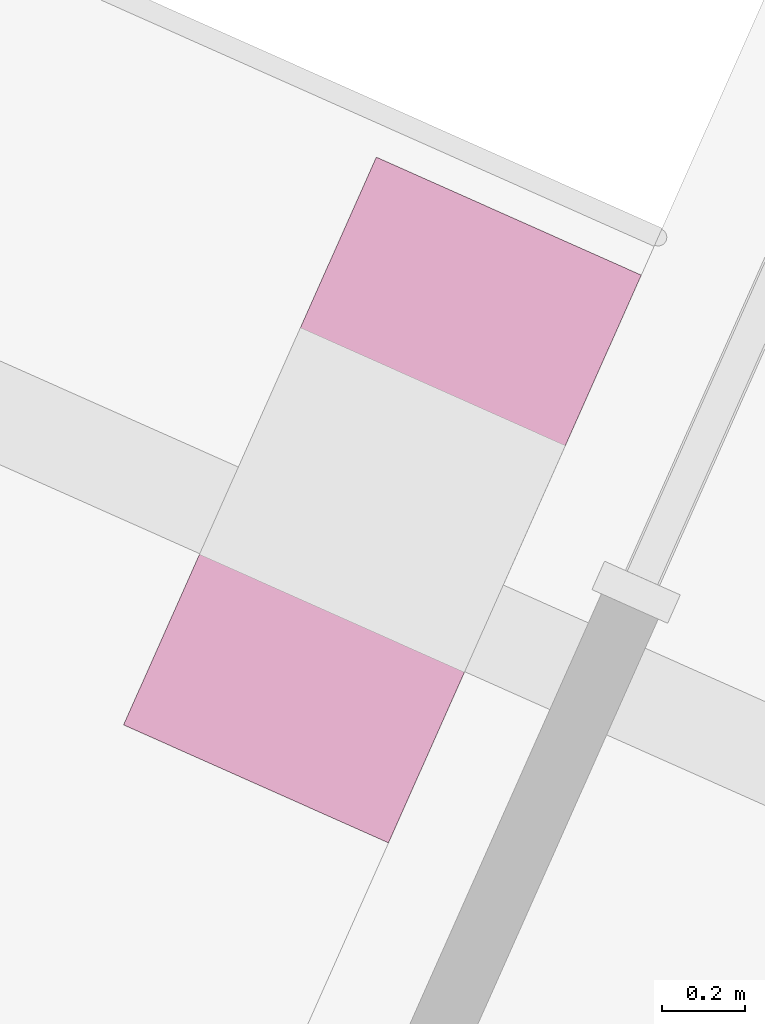
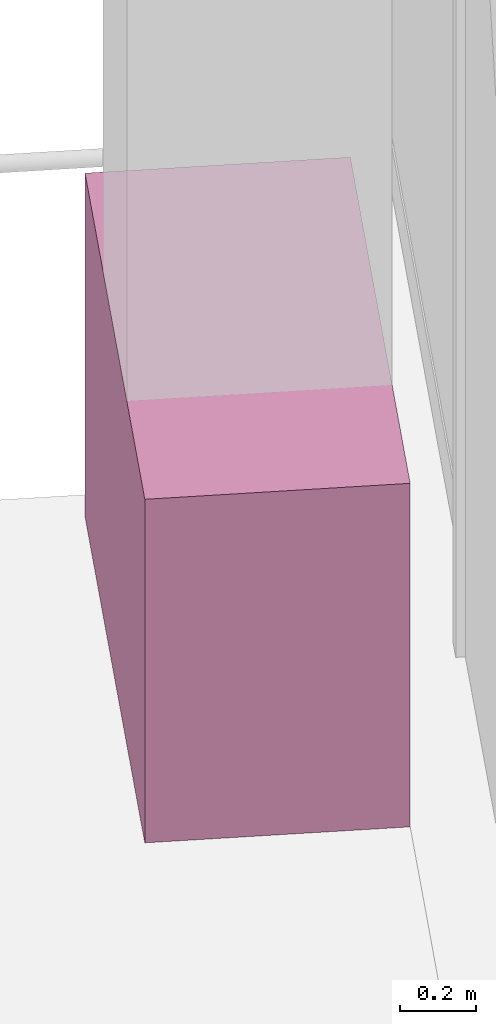
# One storey, part 19 of 20: 1 furniture element.
"""IFC4 building model written with IfcOpenShell, lengths in metres."""

from ifc_helpers import new_model, si_unit, direction, frame, origin, origin_2d, place, context, subcontext, project, spatial, rectangle, extrude, source, transform, mapped, material, type_object, element, save


model = new_model("IFC4")

# Units and contexts
model_context = context("Model", 3, precision=1e-05, world=origin(), true_north=direction((0.0, 1.0)))
body_context = subcontext(model_context, "Body", "Model", "MODEL_VIEW")
ifc_project = project(units=[si_unit("LENGTHUNIT", "METRE"), si_unit("AREAUNIT", "SQUARE_METRE"), si_unit("VOLUMEUNIT", "CUBIC_METRE"), si_unit("PLANEANGLEUNIT", "RADIAN"), si_unit("MASSUNIT", "GRAM", prefix="KILO")], contexts=[model_context])

# Site, building, storey
site_placement = place(None, origin())
site = spatial("IfcSite", under=ifc_project, at=site_placement, CompositionType="ELEMENT")
building_placement = place(site_placement, origin())
building = spatial("IfcBuilding", under=site, at=building_placement, Name="Triune Harvest Tower", CompositionType="ELEMENT")
storey_placement = place(building_placement, frame((0.0, 0.0, 226.89990234375)))
storey = spatial("IfcBuildingStorey", under=building, at=storey_placement, Name="L59", CompositionType="ELEMENT", Elevation=226.89990234375)

# Furniture
ifc_material = material(Name="Concrete 40 MPa", Category="concrete")
furniture_type = type_object("IfcFurnitureType", Name="PB-1 structural planter", AssemblyPlace="SITE", PredefinedType="USERDEFINED", material=ifc_material)
shared_shape = source(origin(), body_context, "Body", "SweptSolid", [
    extrude(rectangle(XDim=1.5, YDim=0.699951171875, at=origin_2d()), origin(), (0.0, 0.0, 1.0), 1.10009765625),
])
furniture_placement = place(storey_placement, frame((-16.23779296875, 14.307861328125, 0.0), z_axis=(0.0, 0.0, 1.0), x_axis=(-0.406737912248, -0.91354489257, 0.0)))
element("IfcFurniture", 1, at=furniture_placement, inside=storey, type_object=furniture_type, Name="Planter B6-F3 L59.5a", ObjectType="PLANTER", PredefinedType="USERDEFINED", context=body_context, shape_type="MappedRepresentation", body=[
    mapped(shared_shape, transform((0.0, 0.0, 0.0), scale=1.0)),
])

save(model, "model.ifc")
